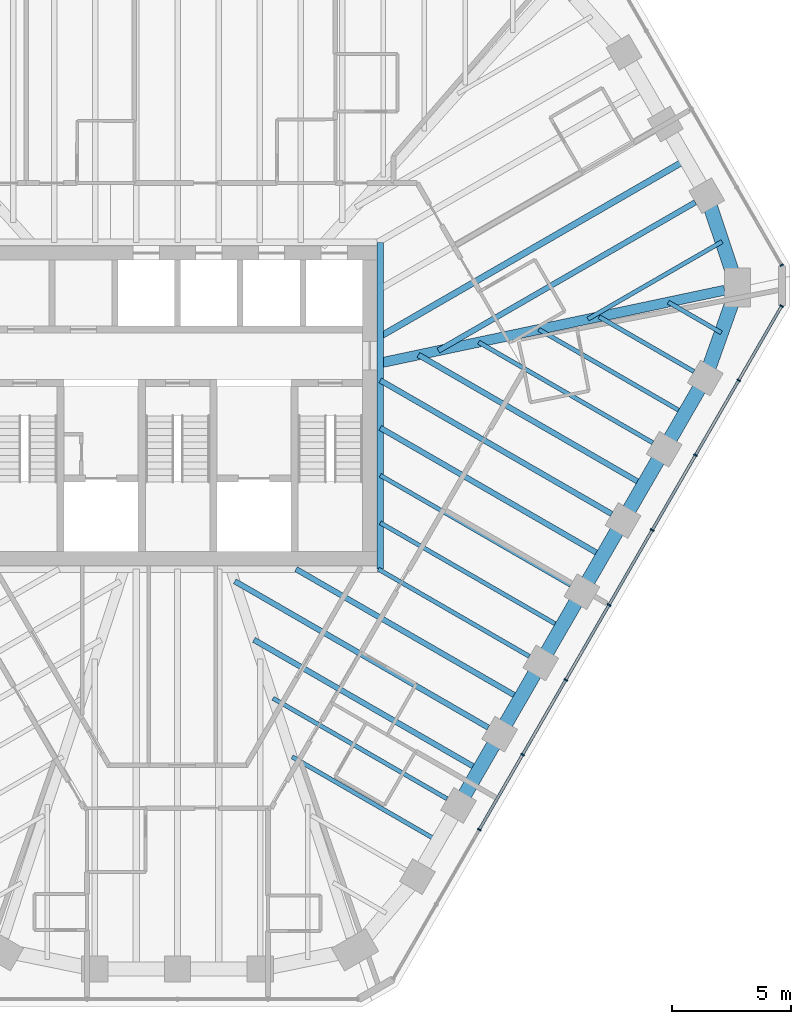
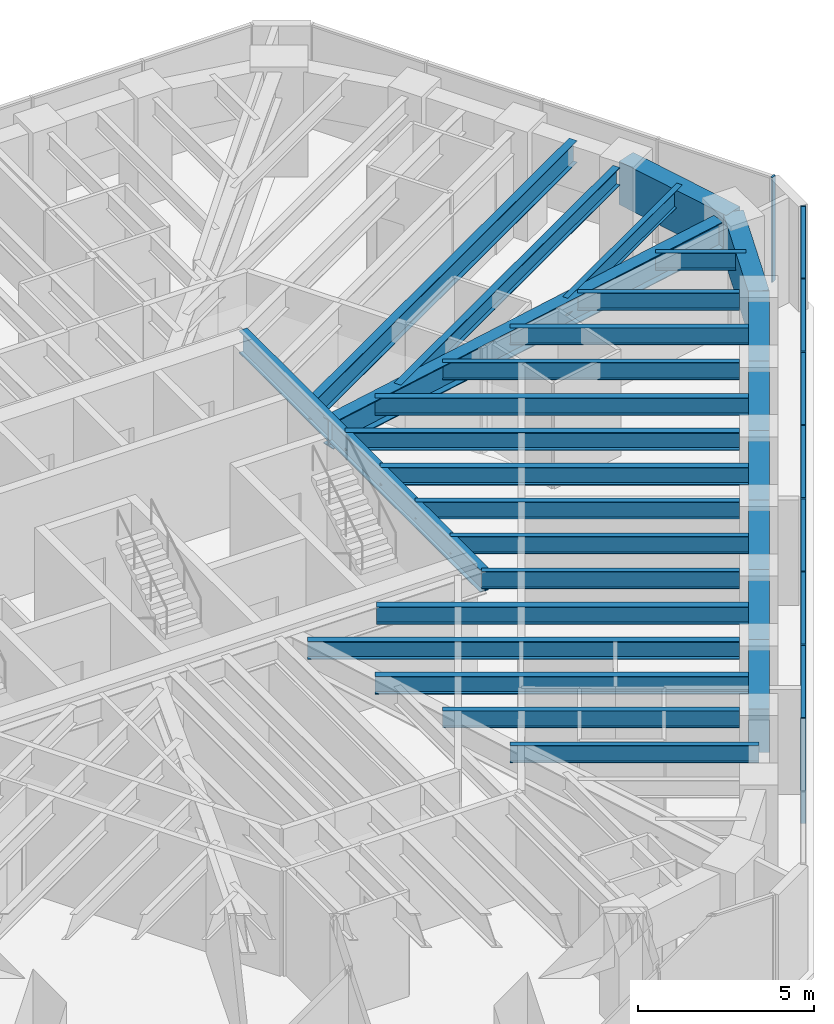
# One storey, part 5 of 14: 28 beams, 16 members, 2 elements without a shape of their own.
"""IFC4 building model written with IfcOpenShell, lengths in metres."""

from ifc_helpers import new_model, si_unit, direction, frame, origin, origin_2d, place, context, subcontext, project, spatial, rectangle, i_section, extrude, material, material_profile, profile_set, type_object, element, aggregate, save


model = new_model("IFC4")

# Units and contexts
model_context = context("Model", 3, precision=1e-05, world=origin(), true_north=direction((0.0, 1.0)))
body_context = subcontext(model_context, "Body", "Model", "MODEL_VIEW")
ifc_project = project(units=[si_unit("LENGTHUNIT", "METRE"), si_unit("AREAUNIT", "SQUARE_METRE"), si_unit("VOLUMEUNIT", "CUBIC_METRE"), si_unit("PLANEANGLEUNIT", "RADIAN"), si_unit("MASSUNIT", "GRAM", prefix="KILO")], contexts=[model_context])

# Site, building, storey
site_placement = place(None, origin())
site = spatial("IfcSite", under=ifc_project, at=site_placement, CompositionType="ELEMENT")
building_placement = place(site_placement, origin())
building = spatial("IfcBuilding", under=site, at=building_placement, Name="Sandreach Pilgrim Tower", CompositionType="ELEMENT")
storey_placement = place(building_placement, frame((0.0, 0.0, 268.39990234375)))
storey = spatial("IfcBuildingStorey", under=building, at=storey_placement, Name="L67", CompositionType="ELEMENT", Elevation=268.39990234375)

# Curtain wall, member
ifc_material_1 = material(Name="Aluminium framed curtain wall", Category="aluminium")
curtain_wall_type = type_object("IfcCurtainWallType", Name="Suite tower curtain wall", PredefinedType="NOTDEFINED", material=ifc_material_1)
curtain_wall_1_placement = place(storey_placement, origin())
curtain_wall_1 = element("IfcCurtainWall", 1, at=curtain_wall_1_placement, inside=storey, type_object=curtain_wall_type, Name="CW-4 L67 NE", PredefinedType="NOTDEFINED")
ifc_material_2 = material(Name="Aluminium extrusion", Category="aluminium")
ifc_material_profile_1 = material_profile(ifc_material_2, rectangle(XDim=0.06005859375, YDim=0.159912109375, at=origin_2d()), Name="CW-4M 60X160")
ifc_profile_set_1 = profile_set([ifc_material_profile_1], Name="Aluminium extrusion")
member_type_1 = type_object("IfcMemberType", Name="CW-4 mullion", PredefinedType="MULLION", material=ifc_profile_set_1)
member_1_placement = place(storey_placement, frame((25.304443359375, 5.8876953125, 0.0), z_axis=(0.0, 0.0, 1.0), x_axis=(0.5, -0.866025403784, 0.0)))
member_1 = element("IfcMember", 2, at=member_1_placement, type_object=member_type_1, Name="CW-4 mullion 5", PredefinedType="MULLION", context=body_context, shape_type="SweptSolid", body=[
    extrude(rectangle(XDim=0.06005859375, YDim=0.159912109375, at=origin_2d()), origin(), (0.0, 0.0, 1.0), 3.64013671875),
])
aggregate(curtain_wall_1, [member_1])

# Curtain wall, members
curtain_wall_2_placement = place(storey_placement, origin())
curtain_wall_2 = element("IfcCurtainWall", 3, at=curtain_wall_2_placement, inside=storey, type_object=curtain_wall_type, Name="CW-4 L67 SE", PredefinedType="NOTDEFINED")
member_2_placement = place(storey_placement, frame((25.304443359375, 4.175537109375, 0.0), z_axis=(0.0, 0.0, 1.0), x_axis=(-0.5, -0.866025403784, 0.0)))
member_2 = element("IfcMember", 4, at=member_2_placement, type_object=member_type_1, Name="CW-4 mullion 1", PredefinedType="MULLION", context=body_context, shape_type="SweptSolid", body=[
    extrude(rectangle(XDim=0.06005859375, YDim=0.159912109375, at=origin_2d()), origin(), (0.0, 0.0, 1.0), 3.64013671875),
])
member_3_placement = place(storey_placement, frame((23.508544921875, 1.06494140625, 0.0), z_axis=(0.0, 0.0, 1.0), x_axis=(-0.5, -0.866025403784, 0.0)))
member_3 = element("IfcMember", 5, at=member_3_placement, type_object=member_type_1, Name="CW-4 mullion 2", PredefinedType="MULLION", context=body_context, shape_type="SweptSolid", body=[
    extrude(rectangle(XDim=0.06005859375, YDim=0.159912109375, at=origin_2d()), origin(), (0.0, 0.0, 1.0), 3.64013671875),
])
member_4_placement = place(storey_placement, frame((21.697509765625, -2.071533203125, 0.0), z_axis=(0.0, 0.0, 1.0), x_axis=(-0.5, -0.866025403784, 0.0)))
member_4 = element("IfcMember", 6, at=member_4_placement, type_object=member_type_1, Name="CW-4 mullion 3", PredefinedType="MULLION", context=body_context, shape_type="SweptSolid", body=[
    extrude(rectangle(XDim=0.06005859375, YDim=0.159912109375, at=origin_2d()), origin(), (0.0, 0.0, 1.0), 3.64013671875),
])
member_5_placement = place(storey_placement, frame((19.886474609375, -5.208251953125, 0.0), z_axis=(0.0, 0.0, 1.0), x_axis=(-0.5, -0.866025403784, 0.0)))
member_5 = element("IfcMember", 7, at=member_5_placement, type_object=member_type_1, Name="CW-4 mullion 4", PredefinedType="MULLION", context=body_context, shape_type="SweptSolid", body=[
    extrude(rectangle(XDim=0.06005859375, YDim=0.159912109375, at=origin_2d()), origin(), (0.0, 0.0, 1.0), 3.64013671875),
])
member_6_placement = place(storey_placement, frame((18.07568359375, -8.344970703125, 0.0), z_axis=(0.0, 0.0, 1.0), x_axis=(-0.5, -0.866025403784, 0.0)))
member_6 = element("IfcMember", 8, at=member_6_placement, type_object=member_type_1, Name="CW-4 mullion 5", PredefinedType="MULLION", context=body_context, shape_type="SweptSolid", body=[
    extrude(rectangle(XDim=0.06005859375, YDim=0.159912109375, at=origin_2d()), origin(), (0.0, 0.0, 1.0), 3.64013671875),
])
member_7_placement = place(storey_placement, frame((16.2646484375, -11.4814453125, 0.0), z_axis=(0.0, 0.0, 1.0), x_axis=(-0.5, -0.866025403784, 0.0)))
member_7 = element("IfcMember", 9, at=member_7_placement, type_object=member_type_1, Name="CW-4 mullion 6", PredefinedType="MULLION", context=body_context, shape_type="SweptSolid", body=[
    extrude(rectangle(XDim=0.06005859375, YDim=0.159912109375, at=origin_2d()), origin(), (0.0, 0.0, 1.0), 3.64013671875),
])
member_8_placement = place(storey_placement, frame((14.453857421875, -14.6181640625, 0.0), z_axis=(0.0, 0.0, 1.0), x_axis=(-0.5, -0.866025403784, 0.0)))
member_8 = element("IfcMember", 10, at=member_8_placement, type_object=member_type_1, Name="CW-4 mullion 7", PredefinedType="MULLION", context=body_context, shape_type="SweptSolid", body=[
    extrude(rectangle(XDim=0.06005859375, YDim=0.159912109375, at=origin_2d()), origin(), (0.0, 0.0, 1.0), 3.64013671875),
])
member_9_placement = place(storey_placement, frame((12.642822265625, -17.7548828125, 0.0), z_axis=(0.0, 0.0, 1.0), x_axis=(-0.5, -0.866025403784, 0.0)))
member_9 = element("IfcMember", 11, at=member_9_placement, type_object=member_type_1, Name="CW-4 mullion 8", PredefinedType="MULLION", context=body_context, shape_type="SweptSolid", body=[
    extrude(rectangle(XDim=0.06005859375, YDim=0.159912109375, at=origin_2d()), origin(), (0.0, 0.0, 1.0), 3.64013671875),
])
ifc_material_3 = material(Name="Aluminium extrusion", Category="aluminium")
ifc_material_profile_2 = material_profile(ifc_material_3, rectangle(XDim=0.1201171875, YDim=0.070068359375, at=origin_2d()), Name="CW-4T 120X70")
ifc_profile_set_2 = profile_set([ifc_material_profile_2], Name="Aluminium extrusion")
member_type_2 = type_object("IfcMemberType", Name="CW-4 transom", PredefinedType="USERDEFINED", material=ifc_profile_set_2)
member_10_placement = place(storey_placement, frame((25.289306640625, 4.149658203125, 3.60498046875), z_axis=(-0.499997709859, -0.866026725994, 0.0), x_axis=(0.866026725994, -0.499997709859, 0.0)))
member_10 = element("IfcMember", 12, at=member_10_placement, type_object=member_type_2, Name="CW-4 head transom 1", ObjectType="TRANSOM", PredefinedType="USERDEFINED", context=body_context, shape_type="SweptSolid", body=[
    extrude(rectangle(XDim=0.1201171875, YDim=0.070068359375, at=origin_2d()), origin(), (0.0, 0.0, 1.0), 3.53173828125),
])
member_11_placement = place(storey_placement, frame((23.493408203125, 1.0390625, 3.60498046875), z_axis=(-0.500009219579, -0.866020080793, 0.0), x_axis=(0.866020080793, -0.500009219579, 0.0)))
member_11 = element("IfcMember", 13, at=member_11_placement, type_object=member_type_2, Name="CW-4 head transom 2", ObjectType="TRANSOM", PredefinedType="USERDEFINED", context=body_context, shape_type="SweptSolid", body=[
    extrude(rectangle(XDim=0.1201171875, YDim=0.070068359375, at=origin_2d()), origin(), (0.0, 0.0, 1.0), 3.56201171875),
])
member_12_placement = place(storey_placement, frame((21.6826171875, -2.09765625, 3.60498046875), z_axis=(-0.500009219579, -0.866020080793, 0.0), x_axis=(0.866020080793, -0.500009219579, 0.0)))
member_12 = element("IfcMember", 14, at=member_12_placement, type_object=member_type_2, Name="CW-4 head transom 3", ObjectType="TRANSOM", PredefinedType="USERDEFINED", context=body_context, shape_type="SweptSolid", body=[
    extrude(rectangle(XDim=0.1201171875, YDim=0.070068359375, at=origin_2d()), origin(), (0.0, 0.0, 1.0), 3.56201171875),
])
member_13_placement = place(storey_placement, frame((19.87158203125, -5.234375, 3.60498046875), z_axis=(-0.500038900691, -0.866002943295, 0.0), x_axis=(0.866002943295, -0.500038900691, 0.0)))
member_13 = element("IfcMember", 15, at=member_13_placement, type_object=member_type_2, Name="CW-4 head transom 4", ObjectType="TRANSOM", PredefinedType="USERDEFINED", context=body_context, shape_type="SweptSolid", body=[
    extrude(rectangle(XDim=0.1201171875, YDim=0.070068359375, at=origin_2d()), origin(), (0.0, 0.0, 1.0), 3.561767578125),
])
member_14_placement = place(storey_placement, frame((18.060546875, -8.370849609375, 3.60498046875), z_axis=(-0.499957811549, -0.866049759928, 0.0), x_axis=(0.866049759928, -0.499957811549, 0.0)))
member_14 = element("IfcMember", 16, at=member_14_placement, type_object=member_type_2, Name="CW-4 head transom 5", ObjectType="TRANSOM", PredefinedType="USERDEFINED", context=body_context, shape_type="SweptSolid", body=[
    extrude(rectangle(XDim=0.1201171875, YDim=0.070068359375, at=origin_2d()), origin(), (0.0, 0.0, 1.0), 3.561767578125),
])
member_15_placement = place(storey_placement, frame((16.249755859375, -11.507568359375, 3.60498046875), z_axis=(-0.500009219579, -0.866020080793, 0.0), x_axis=(0.866020080793, -0.500009219579, 0.0)))
member_15 = element("IfcMember", 17, at=member_15_placement, type_object=member_type_2, Name="CW-4 head transom 6", ObjectType="TRANSOM", PredefinedType="USERDEFINED", context=body_context, shape_type="SweptSolid", body=[
    extrude(rectangle(XDim=0.1201171875, YDim=0.070068359375, at=origin_2d()), origin(), (0.0, 0.0, 1.0), 3.56201171875),
])
member_16_placement = place(storey_placement, frame((14.438720703125, -14.64404296875, 3.60498046875), z_axis=(-0.499957811549, -0.866049759928, 0.0), x_axis=(0.866049759928, -0.499957811549, 0.0)))
member_16 = element("IfcMember", 18, at=member_16_placement, type_object=member_type_2, Name="CW-4 head transom 7", ObjectType="TRANSOM", PredefinedType="USERDEFINED", context=body_context, shape_type="SweptSolid", body=[
    extrude(rectangle(XDim=0.1201171875, YDim=0.070068359375, at=origin_2d()), origin(), (0.0, 0.0, 1.0), 3.561767578125),
])
aggregate(curtain_wall_2, [member_2, member_3, member_4, member_5, member_6, member_7, member_8, member_9, member_10, member_11, member_12, member_13, member_14, member_15, member_16])

# Beams
ifc_material_4 = material(Name="Steel ASTM A992 Grade 50", Category="steel")
ifc_material_profile_3 = material_profile(ifc_material_4, i_section(OverallWidth=0.2666015625, OverallDepth=0.77978515625, WebThickness=0.0166015625, FlangeThickness=0.030029296875, at=origin_2d()), Name="W30X148")
ifc_profile_set_3 = profile_set([ifc_material_profile_3], Name="Steel ASTM A992 Grade 50")
beam_type_1 = type_object("IfcBeamType", Name="Core edge beam W30X148", PredefinedType="BEAM", material=ifc_profile_set_3)
beam_1_placement = place(storey_placement, frame((8.493408203125, 6.84326171875, 3.250244140625), z_axis=(0.0, -1.0, 0.0), x_axis=(1.0, 0.0, 0.0)))
element("IfcBeam", 19, at=beam_1_placement, inside=storey, type_object=beam_type_1, Name="BM L67 CEE", PredefinedType="BEAM", context=body_context, shape_type="SweptSolid", body=[
    extrude(i_section(OverallWidth=0.2666015625, OverallDepth=0.77978515625, WebThickness=0.0166015625, FlangeThickness=0.030029296875, at=origin_2d()), origin(), (0.0, 0.0, 1.0), 13.6865234375),
])
ifc_material_5 = material(Name="Steel ASTM A992 Grade 50", Category="steel")
ifc_material_profile_4 = material_profile(ifc_material_5, i_section(OverallWidth=0.419189453125, OverallDepth=0.927001953125, WebThickness=0.019287109375, FlangeThickness=0.031982421875, at=origin_2d()), Name="W36X231")
ifc_profile_set_4 = profile_set([ifc_material_profile_4], Name="Steel ASTM A992 Grade 50")
beam_type_2 = type_object("IfcBeamType", Name="Corner girder W36X231", PredefinedType="BEAM", material=ifc_profile_set_4)
beam_2_placement = place(storey_placement, frame((22.917724609375, 4.838623046875, 3.176513671875), z_axis=(-0.978430270369, -0.206577360876, 0.0), x_axis=(0.206577360876, -0.978430270369, 0.0)))
element("IfcBeam", 20, at=beam_2_placement, inside=storey, type_object=beam_type_2, Name="BM L67 CG13", PredefinedType="BEAM", context=body_context, shape_type="SweptSolid", body=[
    extrude(i_section(OverallWidth=0.419189453125, OverallDepth=0.927001953125, WebThickness=0.019287109375, FlangeThickness=0.031982421875, at=origin_2d()), origin(), (0.0, 0.0, 1.0), 14.888671875),
])
ifc_material_6 = material(Name="Steel ASTM A992 Grade 50", Category="steel")
ifc_material_profile_5 = material_profile(ifc_material_6, i_section(OverallWidth=0.1787109375, OverallDepth=0.60205078125, WebThickness=0.010986328125, FlangeThickness=0.014892578125, at=origin_2d()), Name="W24X62")
ifc_profile_set_5 = profile_set([ifc_material_profile_5], Name="Steel ASTM A992 Grade 50")
beam_type_3 = type_object("IfcBeamType", Name="Floor beam W24X62", PredefinedType="BEAM", material=ifc_profile_set_5)
beam_3_placement = place(storey_placement, frame((21.631591796875, 1.433837890625, 3.339111328125), z_axis=(-0.866037621819, 0.499978837146, 0.0), x_axis=(-0.499978837146, -0.866037621819, 0.0)))
element("IfcBeam", 21, at=beam_3_placement, inside=storey, type_object=beam_type_3, Name="BM L67 F14", PredefinedType="BEAM", context=body_context, shape_type="SweptSolid", body=[
    extrude(i_section(OverallWidth=0.1787109375, OverallDepth=0.60205078125, WebThickness=0.010986328125, FlangeThickness=0.014892578125, at=origin_2d()), origin(), (0.0, 0.0, 1.0), 4.588623046875),
])
beam_4_placement = place(storey_placement, frame((19.908935546875, -1.549560546875, 3.339111328125), z_axis=(-0.866026819143, 0.499997548519, 0.0), x_axis=(-0.499997548519, -0.866026819143, 0.0)))
element("IfcBeam", 22, at=beam_4_placement, inside=storey, type_object=beam_type_3, Name="BM L67 F15", PredefinedType="BEAM", context=body_context, shape_type="SweptSolid", body=[
    extrude(i_section(OverallWidth=0.1787109375, OverallDepth=0.60205078125, WebThickness=0.010986328125, FlangeThickness=0.014892578125, at=origin_2d()), origin(), (0.0, 0.0, 1.0), 8.4248046875),
])
beam_5_placement = place(storey_placement, frame((16.4638671875, -7.516357421875, 3.339111328125), z_axis=(-0.866022580836, 0.500004889459, 0.0), x_axis=(-0.500004889459, -0.866022580836, 0.0)))
element("IfcBeam", 23, at=beam_5_placement, inside=storey, type_object=beam_type_3, Name="BM L67 F17", PredefinedType="BEAM", context=body_context, shape_type="SweptSolid", body=[
    extrude(i_section(OverallWidth=0.1787109375, OverallDepth=0.60205078125, WebThickness=0.010986328125, FlangeThickness=0.014892578125, at=origin_2d()), origin(), (0.0, 0.0, 1.0), 9.20361328125),
])
beam_6_placement = place(storey_placement, frame((14.741455078125, -10.5, 3.339111328125), z_axis=(-0.866019920622, 0.500009496996, 0.0), x_axis=(-0.500009496996, -0.866019920622, 0.0)))
element("IfcBeam", 24, at=beam_6_placement, inside=storey, type_object=beam_type_3, Name="BM L67 F18", PredefinedType="BEAM", context=body_context, shape_type="SweptSolid", body=[
    extrude(i_section(OverallWidth=0.1787109375, OverallDepth=0.60205078125, WebThickness=0.010986328125, FlangeThickness=0.014892578125, at=origin_2d()), origin(), (0.0, 0.0, 1.0), 7.313232421875),
])
beam_7_placement = place(storey_placement, frame((11.29638671875, -16.466796875, 3.339111328125), z_axis=(-0.866026819143, 0.499997548519, 0.0), x_axis=(-0.499997548519, -0.866026819143, 0.0)))
element("IfcBeam", 25, at=beam_7_placement, inside=storey, type_object=beam_type_3, Name="BM L67 F20", PredefinedType="BEAM", context=body_context, shape_type="SweptSolid", body=[
    extrude(i_section(OverallWidth=0.1787109375, OverallDepth=0.60205078125, WebThickness=0.010986328125, FlangeThickness=0.014892578125, at=origin_2d()), origin(), (0.0, 0.0, 1.0), 8.4248046875),
])
beam_8_placement = place(storey_placement, frame((22.8125, 6.875, 3.339111328125), z_axis=(-0.866023980233, -0.500002465655, 0.0), x_axis=(0.500002465655, -0.866023980233, 0.0)))
element("IfcBeam", 26, at=beam_8_placement, inside=storey, type_object=beam_type_3, Name="BM L67 FM12", PredefinedType="BEAM", context=body_context, shape_type="SweptSolid", body=[
    extrude(i_section(OverallWidth=0.1787109375, OverallDepth=0.60205078125, WebThickness=0.010986328125, FlangeThickness=0.014892578125, at=origin_2d()), origin(), (0.0, 0.0, 1.0), 6.49072265625),
])
beam_9_placement = place(storey_placement, frame((22.78173828125, 3.0556640625, 3.339111328125), z_axis=(-0.8660004255, 0.500043261163, 0.0), x_axis=(-0.500043261163, -0.8660004255, 0.0)))
element("IfcBeam", 27, at=beam_9_placement, inside=storey, type_object=beam_type_3, Name="BM L67 FM13", PredefinedType="BEAM", context=body_context, shape_type="SweptSolid", body=[
    extrude(i_section(OverallWidth=0.1787109375, OverallDepth=0.60205078125, WebThickness=0.010986328125, FlangeThickness=0.014892578125, at=origin_2d()), origin(), (0.0, 0.0, 1.0), 2.569091796875),
])
beam_10_placement = place(storey_placement, frame((21.24658203125, -0.332763671875, 3.339111328125), z_axis=(-0.866028878405, 0.499993981732, 0.0), x_axis=(-0.499993981732, -0.866028878405, 0.0)))
element("IfcBeam", 28, at=beam_10_placement, inside=storey, type_object=beam_type_3, Name="BM L67 FM14", PredefinedType="BEAM", context=body_context, shape_type="SweptSolid", body=[
    extrude(i_section(OverallWidth=0.1787109375, OverallDepth=0.60205078125, WebThickness=0.010986328125, FlangeThickness=0.014892578125, at=origin_2d()), origin(), (0.0, 0.0, 1.0), 7.056640625),
])
beam_11_placement = place(storey_placement, frame((16.0791015625, -9.283203125, 3.339111328125), z_axis=(-0.866023595995, 0.500003131169, 0.0), x_axis=(-0.500003131169, -0.866023595995, 0.0)))
element("IfcBeam", 29, at=beam_11_placement, inside=storey, type_object=beam_type_3, Name="BM L67 FM17", PredefinedType="BEAM", context=body_context, shape_type="SweptSolid", body=[
    extrude(i_section(OverallWidth=0.1787109375, OverallDepth=0.60205078125, WebThickness=0.010986328125, FlangeThickness=0.014892578125, at=origin_2d()), origin(), (0.0, 0.0, 1.0), 8.75927734375),
])
beam_12_placement = place(storey_placement, frame((10.911376953125, -18.233642578125, 3.339111328125), z_axis=(-0.866020229007, 0.50000896287, 0.0), x_axis=(-0.50000896287, -0.866020229007, 0.0)))
element("IfcBeam", 30, at=beam_12_placement, inside=storey, type_object=beam_type_3, Name="BM L67 FM20", PredefinedType="BEAM", context=body_context, shape_type="SweptSolid", body=[
    extrude(i_section(OverallWidth=0.1787109375, OverallDepth=0.60205078125, WebThickness=0.010986328125, FlangeThickness=0.014892578125, at=origin_2d()), origin(), (0.0, 0.0, 1.0), 7.056396484375),
])
ifc_material_7 = material(Name="Steel ASTM A992 Grade 50", Category="steel")
ifc_material_profile_6 = material_profile(ifc_material_7, i_section(OverallWidth=0.23046875, OverallDepth=0.6171875, WebThickness=0.01318359375, FlangeThickness=0.022216796875, at=origin_2d()), Name="W24X94")
ifc_profile_set_6 = profile_set([ifc_material_profile_6], Name="Steel ASTM A992 Grade 50")
beam_type_4 = type_object("IfcBeamType", Name="Floor beam W24X94", PredefinedType="BEAM", material=ifc_profile_set_6)
beam_13_placement = place(storey_placement, frame((21.69287109375, 8.522705078125, 3.33154296875), z_axis=(-0.866028931402, -0.499993889937, 0.0), x_axis=(0.499993889937, -0.866028931402, 0.0)))
element("IfcBeam", 31, at=beam_13_placement, inside=storey, type_object=beam_type_4, Name="BM L67 F12", PredefinedType="BEAM", context=body_context, shape_type="SweptSolid", body=[
    extrude(i_section(OverallWidth=0.23046875, OverallDepth=0.6171875, WebThickness=0.01318359375, FlangeThickness=0.022216796875, at=origin_2d()), origin(), (0.0, 0.0, 1.0), 12.431396484375),
])
beam_14_placement = place(storey_placement, frame((18.1865234375, -4.532958984375, 3.33154296875), z_axis=(-0.866030482771, 0.499991202833, 0.0), x_axis=(-0.499991202833, -0.866030482771, 0.0)))
element("IfcBeam", 32, at=beam_14_placement, inside=storey, type_object=beam_type_4, Name="BM L67 F16", PredefinedType="BEAM", context=body_context, shape_type="SweptSolid", body=[
    extrude(i_section(OverallWidth=0.23046875, OverallDepth=0.6171875, WebThickness=0.01318359375, FlangeThickness=0.022216796875, at=origin_2d()), origin(), (0.0, 0.0, 1.0), 11.192626953125),
])
beam_15_placement = place(storey_placement, frame((13.018798828125, -13.4833984375, 3.33154296875), z_axis=(-0.866019132277, 0.500010862412, 0.0), x_axis=(-0.500010862412, -0.866019132277, 0.0)))
element("IfcBeam", 33, at=beam_15_placement, inside=storey, type_object=beam_type_4, Name="BM L67 F19", PredefinedType="BEAM", context=body_context, shape_type="SweptSolid", body=[
    extrude(i_section(OverallWidth=0.23046875, OverallDepth=0.6171875, WebThickness=0.01318359375, FlangeThickness=0.022216796875, at=origin_2d()), origin(), (0.0, 0.0, 1.0), 12.261474609375),
])
beam_16_placement = place(storey_placement, frame((19.52392578125, -3.316162109375, 3.33154296875), z_axis=(-0.866029205616, 0.499993414976, 0.0), x_axis=(-0.499993414976, -0.866029205616, 0.0)))
element("IfcBeam", 34, at=beam_16_placement, inside=storey, type_object=beam_type_4, Name="BM L67 FM15", PredefinedType="BEAM", context=body_context, shape_type="SweptSolid", body=[
    extrude(i_section(OverallWidth=0.23046875, OverallDepth=0.6171875, WebThickness=0.01318359375, FlangeThickness=0.022216796875, at=origin_2d()), origin(), (0.0, 0.0, 1.0), 10.893310546875),
])
beam_17_placement = place(storey_placement, frame((17.801513671875, -6.2998046875, 3.33154296875), z_axis=(-0.866025958161, 0.49999903979, 0.0), x_axis=(-0.49999903979, -0.866025958161, 0.0)))
element("IfcBeam", 35, at=beam_17_placement, inside=storey, type_object=beam_type_4, Name="BM L67 FM16", PredefinedType="BEAM", context=body_context, shape_type="SweptSolid", body=[
    extrude(i_section(OverallWidth=0.23046875, OverallDepth=0.6171875, WebThickness=0.01318359375, FlangeThickness=0.022216796875, at=origin_2d()), origin(), (0.0, 0.0, 1.0), 10.748046875),
])
beam_18_placement = place(storey_placement, frame((14.3564453125, -12.2666015625, 3.33154296875), z_axis=(-0.866026660645, 0.499997823047, 0.0), x_axis=(-0.499997823047, -0.866026660645, 0.0)))
element("IfcBeam", 36, at=beam_18_placement, inside=storey, type_object=beam_type_4, Name="BM L67 FM18", PredefinedType="BEAM", context=body_context, shape_type="SweptSolid", body=[
    extrude(i_section(OverallWidth=0.23046875, OverallDepth=0.6171875, WebThickness=0.01318359375, FlangeThickness=0.022216796875, at=origin_2d()), origin(), (0.0, 0.0, 1.0), 10.8466796875),
])
beam_19_placement = place(storey_placement, frame((12.634033203125, -15.250244140625, 3.33154296875), z_axis=(-0.866019500887, 0.500010223979, 0.0), x_axis=(-0.500010223979, -0.866019500887, 0.0)))
element("IfcBeam", 37, at=beam_19_placement, inside=storey, type_object=beam_type_4, Name="BM L67 FM19", PredefinedType="BEAM", context=body_context, shape_type="SweptSolid", body=[
    extrude(i_section(OverallWidth=0.23046875, OverallDepth=0.6171875, WebThickness=0.01318359375, FlangeThickness=0.022216796875, at=origin_2d()), origin(), (0.0, 0.0, 1.0), 10.893310546875),
])
ifc_material_8 = material(Name="Steel ASTM A992 Grade 50", Category="steel")
ifc_material_profile_7 = material_profile(ifc_material_8, i_section(OverallWidth=0.2666015625, OverallDepth=0.761962890625, WebThickness=0.014404296875, FlangeThickness=0.021484375, at=origin_2d()), Name="W30X116")
ifc_profile_set_7 = profile_set([ifc_material_profile_7], Name="Steel ASTM A992 Grade 50")
beam_type_5 = type_object("IfcBeamType", Name="Floor beam W30X116", PredefinedType="BEAM", material=ifc_profile_set_7)
beam_20_placement = place(storey_placement, frame((21.302978515625, 10.29833984375, 3.259033203125), z_axis=(-0.866028362181, -0.499994875871, 0.0), x_axis=(0.499994875871, -0.866028362181, 0.0)))
element("IfcBeam", 38, at=beam_20_placement, inside=storey, type_object=beam_type_5, Name="BM L67 FM11", PredefinedType="BEAM", context=body_context, shape_type="SweptSolid", body=[
    extrude(i_section(OverallWidth=0.2666015625, OverallDepth=0.761962890625, WebThickness=0.014404296875, FlangeThickness=0.021484375, at=origin_2d()), origin(), (0.0, 0.0, 1.0), 14.791259765625),
])
ifc_material_9 = material(Name="Concrete 10000 psi", Category="concrete")
ifc_material_profile_8 = material_profile(ifc_material_9, rectangle(XDim=0.60009765625, YDim=1.5, at=origin_2d()), Name="RC600X1500")
ifc_profile_set_8 = profile_set([ifc_material_profile_8], Name="Concrete 10000 psi")
beam_type_6 = type_object("IfcBeamType", Name="Spandrel beam RC600X1500", PredefinedType="SPANDREL", material=ifc_profile_set_8)
beam_21_placement = place(storey_placement, frame((22.169189453125, 8.7978515625, 2.89013671875), z_axis=(0.317293238289, -0.948327475578, 0.0), x_axis=(0.948327475578, 0.317293238289, 0.0)))
element("IfcBeam", 39, at=beam_21_placement, inside=storey, type_object=beam_type_6, Name="BM L67 SP12", PredefinedType="SPANDREL", context=body_context, shape_type="SweptSolid", body=[
    extrude(rectangle(XDim=0.60009765625, YDim=1.5, at=origin_2d()), origin(), (0.0, 0.0, 1.0), 4.054931640625),
])
beam_22_placement = place(storey_placement, frame((23.455810546875, 4.952392578125, 2.89013671875), z_axis=(-0.33481464839, -0.94228400773, 0.0), x_axis=(0.94228400773, -0.33481464839, 0.0)))
element("IfcBeam", 40, at=beam_22_placement, inside=storey, type_object=beam_type_6, Name="BM L67 SP13", PredefinedType="SPANDREL", context=body_context, shape_type="SweptSolid", body=[
    extrude(rectangle(XDim=0.60009765625, YDim=1.5, at=origin_2d()), origin(), (0.0, 0.0, 1.0), 4.02587890625),
])
for number, where, z_axis, x_axis, name in (
    (41, (22.10791015625, 1.158935546875, 2.89013671875), (-0.500041441558, -0.866001476168, 0.0), (0.866001476168, -0.500041441558, 0.0), "BM L67 SP14"),
    (42, (20.38525390625, -1.824462890625, 2.89013671875), (-0.499957605418, -0.866049878924, 0.0), (0.866049878924, -0.499957605418, 0.0), "BM L67 SP15"),
    (43, (18.662841796875, -4.80810546875, 2.89013671875), (-0.500041441558, -0.866001476168, 0.0), (0.866001476168, -0.500041441558, 0.0), "BM L67 SP16"),
):
    element("IfcBeam", number, at=place(storey_placement, frame(where, z_axis=z_axis, x_axis=x_axis)), inside=storey, type_object=beam_type_6, Name=name, PredefinedType="SPANDREL", context=body_context, shape_type="SweptSolid", body=[
        extrude(rectangle(XDim=0.60009765625, YDim=1.5, at=origin_2d()), origin(), (0.0, 0.0, 1.0), 3.445068359375),
    ])
beam_23_placement = place(storey_placement, frame((16.940185546875, -7.79150390625, 2.89013671875), z_axis=(-0.499988291006, -0.866032163869, 0.0), x_axis=(0.866032163869, -0.499988291006, 0.0)))
element("IfcBeam", 44, at=beam_23_placement, inside=storey, type_object=beam_type_6, Name="BM L67 SP17", PredefinedType="SPANDREL", context=body_context, shape_type="SweptSolid", body=[
    extrude(rectangle(XDim=0.60009765625, YDim=1.5, at=origin_2d()), origin(), (0.0, 0.0, 1.0), 3.44482421875),
])
beam_24_placement = place(storey_placement, frame((15.2177734375, -10.77490234375, 2.89013671875), z_axis=(-0.500010754882, -0.866019194361, 0.0), x_axis=(0.866019194361, -0.500010754882, 0.0)))
element("IfcBeam", 45, at=beam_24_placement, inside=storey, type_object=beam_type_6, Name="BM L67 SP18", PredefinedType="SPANDREL", context=body_context, shape_type="SweptSolid", body=[
    extrude(rectangle(XDim=0.60009765625, YDim=1.5, at=origin_2d()), origin(), (0.0, 0.0, 1.0), 3.4453125),
])
beam_25_placement = place(storey_placement, frame((13.4951171875, -13.758544921875, 2.89013671875), z_axis=(-0.499988291006, -0.866032163869, 0.0), x_axis=(0.866032163869, -0.499988291006, 0.0)))
element("IfcBeam", 46, at=beam_25_placement, inside=storey, type_object=beam_type_6, Name="BM L67 SP19", PredefinedType="SPANDREL", context=body_context, shape_type="SweptSolid", body=[
    extrude(rectangle(XDim=0.60009765625, YDim=1.5, at=origin_2d()), origin(), (0.0, 0.0, 1.0), 3.44482421875),
])

save(model, "model.ifc")
